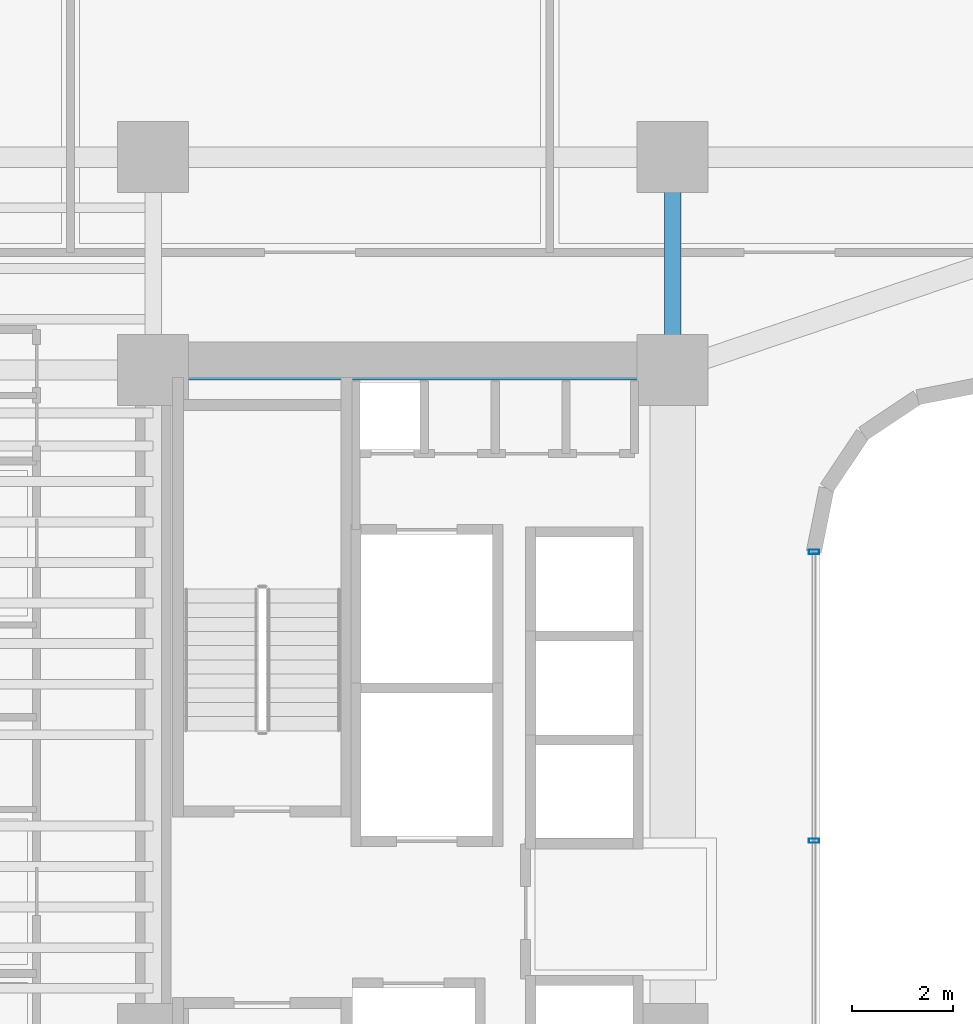
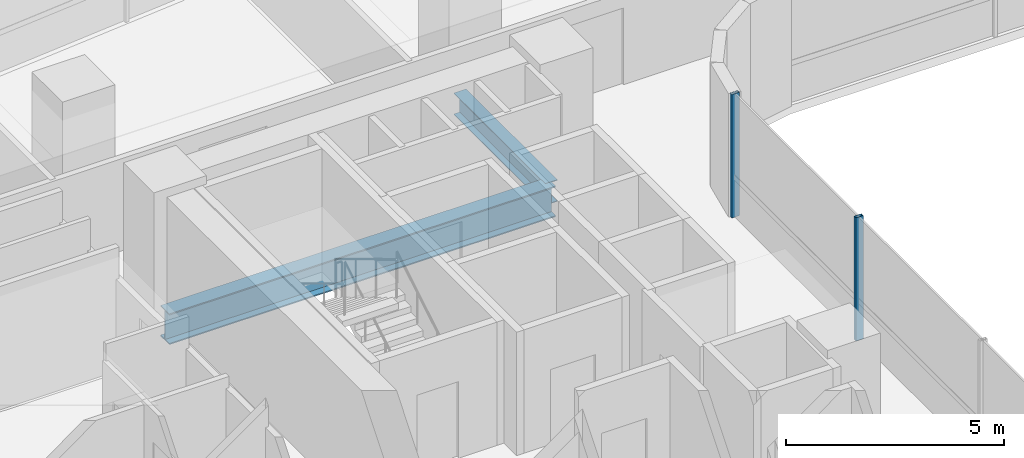
# One storey, part 10 of 39: 2 beams, 2 members, 1 element without a shape of its own.
"""IFC4 building model written with IfcOpenShell, lengths in metres."""

from ifc_helpers import new_model, si_unit, direction, frame, origin, origin_2d, place, context, subcontext, project, spatial, hollow_rectangle, i_section, extrude, source, transform, mapped, material, material_profile, profile_set, type_object, element, aggregate, save


model = new_model("IFC4")

# Units and contexts
model_context = context("Model", 3, precision=1e-05, world=origin(), true_north=direction((0.0, 1.0)))
body_context = subcontext(model_context, "Body", "Model", "MODEL_VIEW")
ifc_project = project(units=[si_unit("LENGTHUNIT", "METRE"), si_unit("AREAUNIT", "SQUARE_METRE"), si_unit("VOLUMEUNIT", "CUBIC_METRE"), si_unit("PLANEANGLEUNIT", "RADIAN"), si_unit("MASSUNIT", "GRAM", prefix="KILO")], contexts=[model_context])

# Site, building, storey
site_placement = place(None, origin())
site = spatial("IfcSite", under=ifc_project, at=site_placement, CompositionType="ELEMENT")
building_placement = place(site_placement, origin())
building = spatial("IfcBuilding", under=site, at=building_placement, Name="Valdorenza Pilgrim Sanctuary Tower", CompositionType="ELEMENT")
storey_placement = place(building_placement, frame((0.0, 0.0, 77.800048828125)))
storey = spatial("IfcBuildingStorey", under=building, at=storey_placement, Name="L19", CompositionType="ELEMENT", Elevation=77.800048828125)

# Beams
ifc_material_1 = material(Name="Steel ASTM A992 Grade 50", Category="steel")
ifc_material_profile_1 = material_profile(ifc_material_1, i_section(OverallWidth=0.323974609375, OverallDepth=0.611083984375, WebThickness=0.0126953125, FlangeThickness=0.01904296875, at=origin_2d()), Name="W24X104")
ifc_profile_set_1 = profile_set([ifc_material_profile_1], Name="Steel ASTM A992 Grade 50")
beam_type_1 = type_object("IfcBeamType", Name="STR-BM-GRD-W24B", PredefinedType="BEAM", material=ifc_profile_set_1)
shared_shape_1 = source(origin(), body_context, "Body", "SweptSolid", [
    extrude(i_section(OverallWidth=0.323974609375, OverallDepth=0.611083984375, WebThickness=0.0126953125, FlangeThickness=0.01904296875, at=origin_2d()), origin(), (0.0, 0.0, 1.0), 4.199951171875),
])
beam_1_placement = place(storey_placement, frame((-12.39990234375, 10.60009765625, -0.545654296875), z_axis=(0.0, 1.0, 0.0), x_axis=(-1.0, 0.0, 0.0)))
element("IfcBeam", 1, at=beam_1_placement, inside=storey, type_object=beam_type_1, Name="L19 Core Tie Girder CA-E-N1N2", PredefinedType="BEAM", context=body_context, shape_type="MappedRepresentation", body=[
    mapped(shared_shape_1, transform((0.0, 0.0, 0.0), x_axis=(1.0, 0.0, 0.0), y_axis=(0.0, 1.0, 0.0), z_axis=(0.0, 0.0, 1.0), scale=1.0)),
])
ifc_material_profile_2 = material_profile(ifc_material_1, i_section(OverallWidth=0.39990234375, OverallDepth=0.862060546875, WebThickness=0.019775390625, FlangeThickness=0.032470703125, at=origin_2d()), Name="W33X221")
ifc_profile_set_2 = profile_set([ifc_material_profile_2], Name="Steel ASTM A992 Grade 50")
beam_type_2 = type_object("IfcBeamType", Name="STR-BM-GRD-W33", PredefinedType="BEAM", material=ifc_profile_set_2)
shared_shape_2 = source(origin(), body_context, "Body", "SweptSolid", [
    extrude(i_section(OverallWidth=0.39990234375, OverallDepth=0.862060546875, WebThickness=0.019775390625, FlangeThickness=0.032470703125, at=origin_2d()), origin(), (0.0, 0.0, 1.0), 10.25),
])
beam_2_placement = place(storey_placement, frame((-22.64990234375, 10.60009765625, -0.671142578125), z_axis=(1.0, 0.0, 0.0), x_axis=(0.0, 1.0, 0.0)))
element("IfcBeam", 2, at=beam_2_placement, inside=storey, type_object=beam_type_2, Name="L19 Floor Girder CA-XC-N1", PredefinedType="BEAM", context=body_context, shape_type="MappedRepresentation", body=[
    mapped(shared_shape_2, transform((0.0, 0.0, 0.0), x_axis=(1.0, 0.0, 0.0), y_axis=(0.0, 1.0, 0.0), z_axis=(0.0, 0.0, 1.0), scale=1.0)),
])

# Curtain wall, members
ifc_material_2 = material(Name="Curtain-wall IGU glazing", Category="glass")
curtain_wall_type = type_object("IfcCurtainWallType", Name="CW-SYS-02", PredefinedType="NOTDEFINED", material=ifc_material_2)
curtain_wall_placement = place(storey_placement, origin())
curtain_wall = element("IfcCurtainWall", 3, at=curtain_wall_placement, inside=storey, type_object=curtain_wall_type, Name="L19 Curtain Wall CW-L19-1-41", PredefinedType="NOTDEFINED")
ifc_material_3 = material(Name="Anodised aluminium AW-6060", Category="aluminium")
ifc_material_profile_3 = material_profile(ifc_material_3, hollow_rectangle(XDim=0.0849609375, YDim=0.199951171875, WallThickness=0.0048828125, at=origin_2d()), Name="ALU-M 200x85x5")
ifc_profile_set_3 = profile_set([ifc_material_profile_3], Name="Anodised aluminium AW-6060")
member_type = type_object("IfcMemberType", Name="CW-MUL-02", PredefinedType="MULLION", material=ifc_profile_set_3)
shared_shape_3 = source(origin(), body_context, "Body", "SweptSolid", [
    extrude(hollow_rectangle(XDim=0.0849609375, YDim=0.199951171875, WallThickness=0.0048828125, at=origin_2d()), origin(), (0.0, 0.0, 1.0), 3.4599609375),
])
member_1_placement = place(storey_placement, frame((-9.610107421875, 7.0107421875, 0.0), z_axis=(0.0, 0.0, 1.0), x_axis=(0.0, -1.0, 0.0)))
member_1 = element("IfcMember", 4, at=member_1_placement, type_object=member_type, Name="CW-L19-1-41 Mullion 1", PredefinedType="MULLION", context=body_context, shape_type="MappedRepresentation", body=[
    mapped(shared_shape_3, transform((0.0, 0.0, 0.0), x_axis=(1.0, 0.0, 0.0), y_axis=(0.0, 1.0, 0.0), z_axis=(0.0, 0.0, 1.0), scale=1.0)),
])
member_2_placement = place(storey_placement, frame((-9.610107421875, 1.310791015625, 0.0), z_axis=(0.0, 0.0, 1.0), x_axis=(0.0, -1.0, 0.0)))
member_2 = element("IfcMember", 5, at=member_2_placement, type_object=member_type, Name="CW-L19-1-41 Mullion 2", PredefinedType="MULLION", context=body_context, shape_type="MappedRepresentation", body=[
    mapped(shared_shape_3, transform((0.0, 0.0, 0.0), x_axis=(1.0, 0.0, 0.0), y_axis=(0.0, 1.0, 0.0), z_axis=(0.0, 0.0, 1.0), scale=1.0)),
])
aggregate(curtain_wall, [member_1, member_2])

save(model, "model.ifc")
